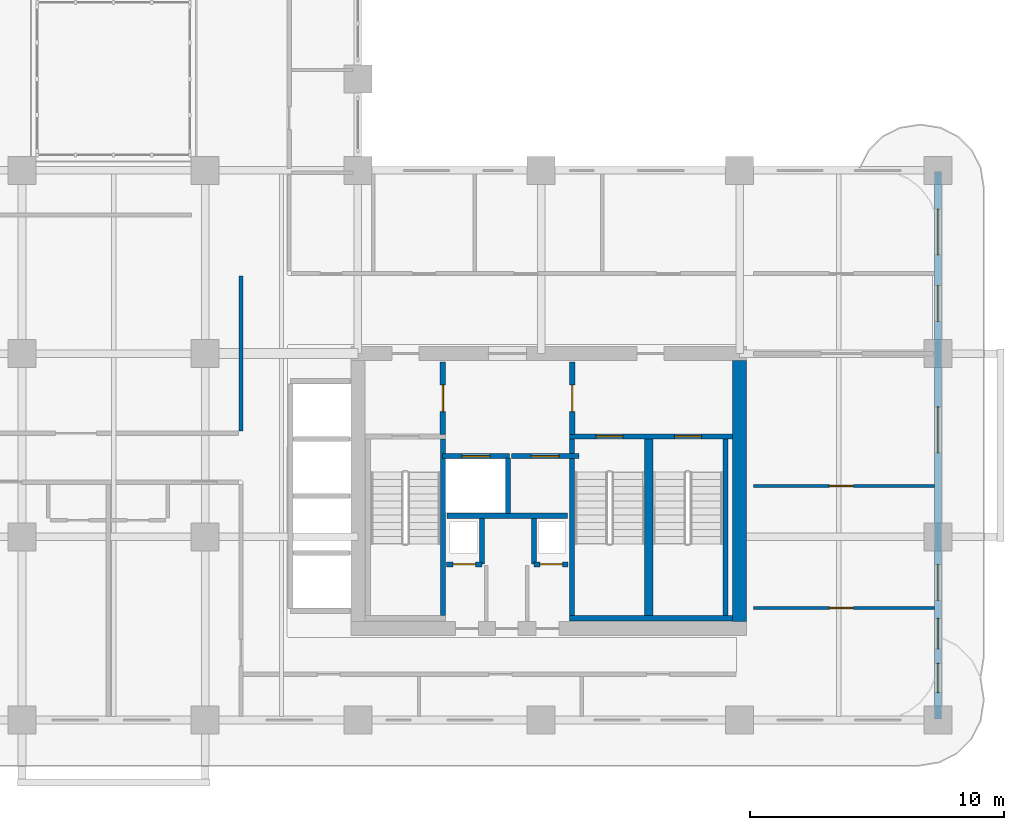
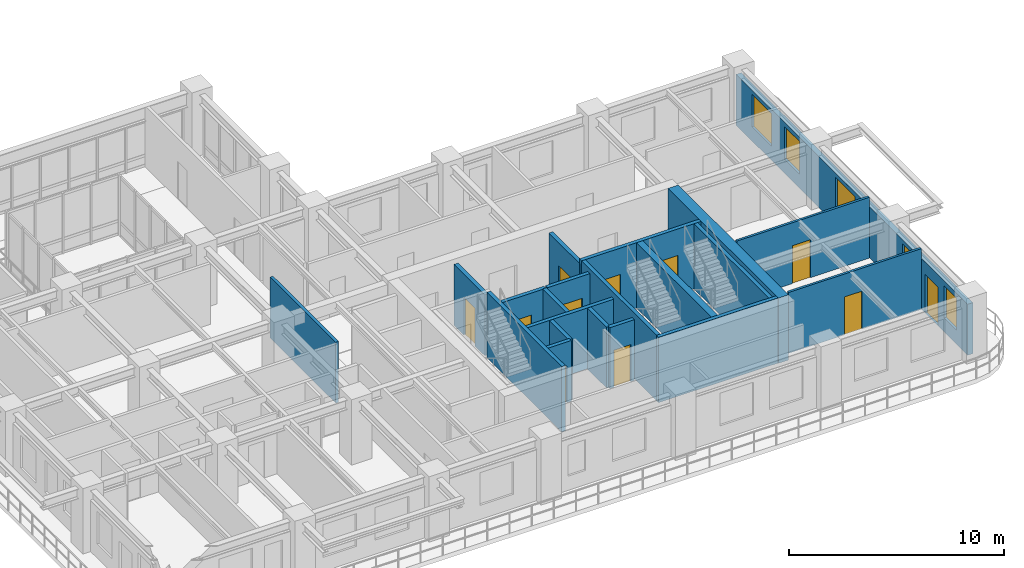
# One storey, part 14 of 22: 21 walls, 11 doors, 5 windows, 16 openings.
"""IFC4 building model written with IfcOpenShell, lengths in metres."""

from ifc_helpers import new_model, si_unit, derived_unit, direction, frame, frame_2d, origin, place, context, subcontext, project, spatial, rectangle, extrude, source, transform, mapped, material, layer, layer_set, type_object, type_shapes, element, fill, save


model = new_model("IFC4")

# Units and contexts
model_context = context("Model", 3, precision=1e-05, world=origin(), true_north=direction((0.0, 1.0)))
body_context = subcontext(model_context, "Body", "Model", "MODEL_VIEW")
ifc_project = project(units=[si_unit("LENGTHUNIT", "METRE"), si_unit("AREAUNIT", "SQUARE_METRE"), si_unit("VOLUMEUNIT", "CUBIC_METRE"), si_unit("PLANEANGLEUNIT", "RADIAN"), si_unit("MASSUNIT", "GRAM", prefix="KILO"), si_unit("THERMODYNAMICTEMPERATUREUNIT", "KELVIN"), si_unit("POWERUNIT", "WATT"), derived_unit("THERMALTRANSMITTANCEUNIT", [(si_unit("POWERUNIT", "WATT"), 1), (si_unit("AREAUNIT", "SQUARE_METRE"), -1), (si_unit("THERMODYNAMICTEMPERATUREUNIT", "KELVIN"), -1)])], contexts=[model_context])

# Site, building, storey
site_placement = place(None, origin())
site = spatial("IfcSite", under=ifc_project, at=site_placement, CompositionType="ELEMENT")
building_placement = place(site_placement, origin())
building = spatial("IfcBuilding", under=site, at=building_placement, Name="Zahravan Archway Hotel and Residences", CompositionType="ELEMENT")
storey_placement = place(building_placement, frame((0.0, 0.0, 80.5)))
storey = spatial("IfcBuildingStorey", under=building, at=storey_placement, Name="L19", CompositionType="ELEMENT", Elevation=80.5)

# Wall
ifc_material_1 = material(Name="Concrete C70/85", Category="concrete")
ifc_layer_1 = layer(ifc_material_1, 0.550048828125, Name="Concrete C70/85", Category="concrete")
ifc_layer_set_1 = layer_set([ifc_layer_1], Name="Concrete C70/85")
wall_type_1 = type_object("IfcWallType", Name="CW-CORE-550", PredefinedType="SHEAR", material=ifc_layer_set_1)
wall_1_placement = place(storey_placement, frame((49.800048828125, 3.875, 0.0), z_axis=(0.0, 0.0, 1.0), x_axis=(0.0, 1.0, 0.0)))
element("IfcWall", 1, at=wall_1_placement, inside=storey, type_object=wall_type_1, Name="L19 Core A Shear E Wall 550 mm", PredefinedType="SHEAR", context=body_context, shape_type="SweptSolid", body=[
    extrude(rectangle(XDim=10.25, YDim=0.550048828125, at=frame_2d((5.125, 0.0))), origin(), (0.0, 0.0, 1.0), 3.699951171875),
])

# Wall, openings, door, windows
ifc_material_2 = material(Name="Honed Red-Ochre Sandstone & Insulated Block", Category="masonry")
ifc_layer_2 = layer(ifc_material_2, 0.280029296875, Name="Honed Red-Ochre Sandstone & Insulated Block", Category="masonry")
ifc_layer_set_2 = layer_set([ifc_layer_2], Name="Honed Red-Ochre Sandstone & Insulated Block")
wall_type_2 = type_object("IfcWallType", Name="EW-LOG-280", PredefinedType="SOLIDWALL", material=ifc_layer_set_2)
wall_2_placement = place(storey_placement, frame((57.60009765625, 0.050048828125, 0.0), z_axis=(0.0, 0.0, 1.0), x_axis=(0.0, 1.0, 0.0)))
wall_2 = element("IfcWall", 2, at=wall_2_placement, inside=storey, type_object=wall_type_2, Name="L19 Exterior Sandstone Wall WA-E", PredefinedType="SOLIDWALL", context=body_context, shape_type="SweptSolid", body=[
    extrude(rectangle(XDim=21.5, YDim=0.280029296875, at=frame_2d((10.75, 0.0))), origin(), (0.0, 0.0, 1.0), 2.885009765625),
])
opening_1_placement = place(wall_2_placement, frame((2.75, 0.0, 0.0)))
opening_1 = element("IfcOpeningElement", 3, at=opening_1_placement, cuts=wall_2, Name="Opening ED-BL1", PredefinedType="OPENING", context=body_context, shape_type="SweptSolid", body=[
    extrude(rectangle(XDim=1.199951171875, YDim=2.199951171875, at=frame_2d((0.60009765625, 1.10009765625))), frame((0.0, 0.14990234375, 0.0), z_axis=(0.0, -1.0, 0.0), x_axis=(1.0, 0.0, 0.0)), (0.0, 0.0, 1.0), 0.300048828125),
])
opening_2_placement = place(wall_2_placement, frame((1.02490234375, 0.0, 0.800048828125)))
opening_2 = element("IfcOpeningElement", 4, at=opening_2_placement, cuts=wall_2, Name="Opening W-05", PredefinedType="OPENING", context=body_context, shape_type="SweptSolid", body=[
    extrude(rectangle(XDim=1.14990234375, YDim=1.800048828125, at=frame_2d((0.574951171875, 0.89990234375))), frame((0.0, 0.14990234375, 0.0), z_axis=(0.0, -1.0, 0.0), x_axis=(1.0, 0.0, 0.0)), (0.0, 0.0, 1.0), 0.300048828125),
])
opening_3_placement = place(wall_2_placement, frame((4.654052734375, 0.0, 0.800048828125)))
opening_3 = element("IfcOpeningElement", 5, at=opening_3_placement, cuts=wall_2, Name="Opening W-03", PredefinedType="OPENING", context=body_context, shape_type="SweptSolid", body=[
    extrude(rectangle(XDim=1.39990234375, YDim=1.85009765625, at=frame_2d((0.699951171875, 0.925048828125))), frame((0.0, 0.14990234375, 0.0), z_axis=(0.0, -1.0, 0.0), x_axis=(1.0, 0.0, 0.0)), (0.0, 0.0, 1.0), 0.300048828125),
])
opening_4_placement = place(wall_2_placement, frame((10.4541015625, 0.0, 0.800048828125)))
opening_4 = element("IfcOpeningElement", 6, at=opening_4_placement, cuts=wall_2, Name="Opening W-02", PredefinedType="OPENING", context=body_context, shape_type="SweptSolid", body=[
    extrude(rectangle(XDim=1.800048828125, YDim=1.85009765625, at=frame_2d((0.89990234375, 0.925048828125))), frame((0.0, 0.14990234375, 0.0), z_axis=(0.0, -1.0, 0.0), x_axis=(1.0, 0.0, 0.0)), (0.0, 0.0, 1.0), 0.300048828125),
])
opening_5_placement = place(wall_2_placement, frame((15.62109375, 0.0, 0.800048828125)))
opening_5 = element("IfcOpeningElement", 7, at=opening_5_placement, cuts=wall_2, Name="Opening W-03", PredefinedType="OPENING", context=body_context, shape_type="SweptSolid", body=[
    extrude(rectangle(XDim=1.39990234375, YDim=1.85009765625, at=frame_2d((0.699951171875, 0.925048828125))), frame((0.0, 0.14990234375, 0.0), z_axis=(0.0, -1.0, 0.0), x_axis=(1.0, 0.0, 0.0)), (0.0, 0.0, 1.0), 0.300048828125),
])
opening_6_placement = place(wall_2_placement, frame((18.22900390625, 0.0, 0.800048828125)))
opening_6 = element("IfcOpeningElement", 8, at=opening_6_placement, cuts=wall_2, Name="Opening W-02", PredefinedType="OPENING", context=body_context, shape_type="SweptSolid", body=[
    extrude(rectangle(XDim=1.800048828125, YDim=1.85009765625, at=frame_2d((0.89990234375, 0.925048828125))), frame((0.0, 0.14990234375, 0.0), z_axis=(0.0, -1.0, 0.0), x_axis=(1.0, 0.0, 0.0)), (0.0, 0.0, 1.0), 0.300048828125),
])
ifc_material_3 = material(Name="Bronze-Anodized Glazed Aluminium", Category="aluminium")
door_type_1 = type_object("IfcDoorType", Name="ED-BALC-1200", OperationType="SLIDING_TO_LEFT", PredefinedType="DOOR", material=ifc_material_3)
shared_shape_1 = source(origin(), body_context, "Body", "SweptSolid", [
    extrude(rectangle(XDim=1.199951171875, YDim=2.199951171875, at=frame_2d((0.60009765625, 1.10009765625))), frame((0.0, 0.02490234375, 0.0), z_axis=(0.0, -1.0, 0.0), x_axis=(1.0, 0.0, 0.0)), (0.0, 0.0, 1.0), 0.050048828125),
])
type_shapes(door_type_1, [shared_shape_1])
door_1_placement = place(opening_1_placement, origin())
door_1 = element("IfcDoor", 9, at=door_1_placement, inside=storey, type_object=door_type_1, Name="L19 Outdoor Access Sliding Door (SLB-BAL-L19-EA)", OperationType="SLIDING_TO_LEFT", OverallHeight=2.199951171875, OverallWidth=1.199951171875, PredefinedType="DOOR", context=body_context, shape_type="MappedRepresentation", body=[
    mapped(shared_shape_1, transform((0.0, 0.0, 0.0), scale=1.0)),
])
fill(opening_1, door_1)
ifc_material_4 = material(Name="Bronze-Anodized Thermal-Break Aluminium & Low-E Glass", Category="aluminium")
window_type_1 = type_object("IfcWindowType", Name="WIN-TWR-1400", PartitioningType="SINGLE_PANEL", PredefinedType="WINDOW", material=ifc_material_4)
shared_shape_2 = source(origin(), body_context, "Body", "SweptSolid", [
    extrude(rectangle(XDim=1.39990234375, YDim=1.85009765625, at=frame_2d((0.699951171875, 0.925048828125))), frame((0.0, 0.030029296875, 0.0), z_axis=(0.0, -1.0, 0.0), x_axis=(1.0, 0.0, 0.0)), (0.0, 0.0, 1.0), 0.06005859375),
])
type_shapes(window_type_1, [shared_shape_2])
window_1_placement = place(opening_3_placement, origin())
window_1 = element("IfcWindow", 10, at=window_1_placement, inside=storey, type_object=window_type_1, Name="L19 Loggia Window 13", OverallHeight=1.85009765625, OverallWidth=1.39990234375, PartitioningType="SINGLE_PANEL", PredefinedType="WINDOW", context=body_context, shape_type="MappedRepresentation", body=[
    mapped(shared_shape_2, transform((0.0, 0.0, 0.0), scale=1.0)),
])
fill(opening_3, window_1)
window_2_placement = place(opening_5_placement, origin())
window_2 = element("IfcWindow", 11, at=window_2_placement, inside=storey, type_object=window_type_1, Name="L19 Loggia Window 15", OverallHeight=1.85009765625, OverallWidth=1.39990234375, PartitioningType="SINGLE_PANEL", PredefinedType="WINDOW", context=body_context, shape_type="MappedRepresentation", body=[
    mapped(shared_shape_2, transform((0.0, 0.0, 0.0), scale=1.0)),
])
fill(opening_5, window_2)
window_type_2 = type_object("IfcWindowType", Name="WIN-TWR-1800", PartitioningType="DOUBLE_PANEL_VERTICAL", PredefinedType="WINDOW", material=ifc_material_4)
shared_shape_3 = source(origin(), body_context, "Body", "SweptSolid", [
    extrude(rectangle(XDim=1.800048828125, YDim=1.85009765625, at=frame_2d((0.89990234375, 0.925048828125))), frame((0.0, 0.030029296875, 0.0), z_axis=(0.0, -1.0, 0.0), x_axis=(1.0, 0.0, 0.0)), (0.0, 0.0, 1.0), 0.06005859375),
])
type_shapes(window_type_2, [shared_shape_3])
window_3_placement = place(opening_4_placement, origin())
window_3 = element("IfcWindow", 12, at=window_3_placement, inside=storey, type_object=window_type_2, Name="L19 Loggia Window 14", OverallHeight=1.85009765625, OverallWidth=1.800048828125, PartitioningType="DOUBLE_PANEL_VERTICAL", PredefinedType="WINDOW", context=body_context, shape_type="MappedRepresentation", body=[
    mapped(shared_shape_3, transform((0.0, 0.0, 0.0), scale=1.0)),
])
fill(opening_4, window_3)
window_4_placement = place(opening_6_placement, origin())
window_4 = element("IfcWindow", 13, at=window_4_placement, inside=storey, type_object=window_type_2, Name="L19 Loggia Window 16", OverallHeight=1.85009765625, OverallWidth=1.800048828125, PartitioningType="DOUBLE_PANEL_VERTICAL", PredefinedType="WINDOW", context=body_context, shape_type="MappedRepresentation", body=[
    mapped(shared_shape_3, transform((0.0, 0.0, 0.0), scale=1.0)),
])
fill(opening_6, window_4)
window_type_3 = type_object("IfcWindowType", Name="WIN-TWR-1150", PartitioningType="SINGLE_PANEL", PredefinedType="WINDOW", material=ifc_material_4)
shared_shape_4 = source(origin(), body_context, "Body", "SweptSolid", [
    extrude(rectangle(XDim=1.14990234375, YDim=1.800048828125, at=frame_2d((0.574951171875, 0.89990234375))), frame((0.0, 0.030029296875, 0.0), z_axis=(0.0, -1.0, 0.0), x_axis=(1.0, 0.0, 0.0)), (0.0, 0.0, 1.0), 0.06005859375),
])
type_shapes(window_type_3, [shared_shape_4])
window_5_placement = place(opening_2_placement, origin())
window_5 = element("IfcWindow", 14, at=window_5_placement, inside=storey, type_object=window_type_3, Name="L19 Loggia Window 12", OverallHeight=1.800048828125, OverallWidth=1.14990234375, PartitioningType="SINGLE_PANEL", PredefinedType="WINDOW", context=body_context, shape_type="MappedRepresentation", body=[
    mapped(shared_shape_4, transform((0.0, 0.0, 0.0), scale=1.0)),
])
fill(opening_2, window_5)

# Wall, opening, door
ifc_material_5 = material(Name="Fire-Rated Gypsum & Concrete Block", Category="concrete")
ifc_layer_3 = layer(ifc_material_5, 0.219970703125, Name="Fire-Rated Gypsum & Concrete Block", Category="concrete")
ifc_layer_set_3 = layer_set([ifc_layer_3], Name="Fire-Rated Gypsum & Concrete Block")
wall_type_3 = type_object("IfcWallType", Name="PW-COMP-220", PredefinedType="PARTITIONING", material=ifc_layer_set_3)
wall_3_placement = place(storey_placement, frame((38.139892578125, 11.219970703125, 0.0), z_axis=(0.0, 0.0, 1.0), x_axis=(0.0, 1.0, 0.0)))
wall_3 = element("IfcWall", 15, at=wall_3_placement, inside=storey, type_object=wall_type_3, Name="L19 Partition CA-LOBW", PredefinedType="PARTITIONING", context=body_context, shape_type="SweptSolid", body=[
    extrude(rectangle(XDim=2.860107421875, YDim=0.219970703125, at=frame_2d((1.43017578125, 0.0))), origin(), (0.0, 0.0, 1.0), 3.449951171875),
])
opening_7_placement = place(wall_3_placement, frame((0.905029296875, 0.0, 0.0)))
opening_7 = element("IfcOpeningElement", 16, at=opening_7_placement, cuts=wall_3, Name="Opening FD-L2", PredefinedType="OPENING", context=body_context, shape_type="SweptSolid", body=[
    extrude(rectangle(XDim=1.050048828125, YDim=2.14990234375, at=frame_2d((0.52490234375, 1.074951171875))), frame((0.0, 0.1201171875, 0.0), z_axis=(0.0, -1.0, 0.0), x_axis=(1.0, 0.0, 0.0)), (0.0, 0.0, 1.0), 0.239990234375),
])
ifc_material_6 = material(Name="Fire-Rated Painted Steel", Category="steel")
door_type_2 = type_object("IfcDoorType", Name="FD-LOBBY-1100", OperationType="NOTDEFINED", PredefinedType="DOOR", material=ifc_material_6)
shared_shape_5 = source(origin(), body_context, "Body", "SweptSolid", [
    extrude(rectangle(XDim=1.050048828125, YDim=2.14990234375, at=frame_2d((0.52490234375, 1.074951171875))), frame((0.0, 0.02490234375, 0.0), z_axis=(0.0, -1.0, 0.0), x_axis=(1.0, 0.0, 0.0)), (0.0, 0.0, 1.0), 0.050048828125),
])
type_shapes(door_type_2, [shared_shape_5])
door_2_placement = place(opening_7_placement, origin())
door_2 = element("IfcDoor", 17, at=door_2_placement, inside=storey, type_object=door_type_2, Name="L19 Core A West Stair to FSAE Lobby Door", OperationType="SINGLE_SWING_RIGHT", OverallHeight=2.14990234375, OverallWidth=1.050048828125, PredefinedType="DOOR", context=body_context, shape_type="MappedRepresentation", body=[
    mapped(shared_shape_5, transform((0.0, 0.0, 0.0), scale=1.0)),
])
fill(opening_7, door_2)

wall_4_placement = place(storey_placement, frame((43.219970703125, 11.219970703125, 0.0), z_axis=(0.0, 0.0, 1.0), x_axis=(0.0, 1.0, 0.0)))
wall_4 = element("IfcWall", 18, at=wall_4_placement, inside=storey, type_object=wall_type_3, Name="L19 Partition CA-LOBE", PredefinedType="PARTITIONING", context=body_context, shape_type="SweptSolid", body=[
    extrude(rectangle(XDim=2.860107421875, YDim=0.219970703125, at=frame_2d((1.43017578125, 0.0))), origin(), (0.0, 0.0, 1.0), 3.449951171875),
])
opening_8_placement = place(wall_4_placement, frame((0.905029296875, 0.0, 0.0)))
opening_8 = element("IfcOpeningElement", 19, at=opening_8_placement, cuts=wall_4, Name="Opening FD-L2", PredefinedType="OPENING", context=body_context, shape_type="SweptSolid", body=[
    extrude(rectangle(XDim=1.050048828125, YDim=2.14990234375, at=frame_2d((0.52490234375, 1.074951171875))), frame((0.0, 0.1201171875, 0.0), z_axis=(0.0, -1.0, 0.0), x_axis=(1.0, 0.0, 0.0)), (0.0, 0.0, 1.0), 0.239990234375),
])
door_3_placement = place(opening_8_placement, origin())
door_3 = element("IfcDoor", 20, at=door_3_placement, inside=storey, type_object=door_type_2, Name="L19 Core A East Stair to FSAE Lobby Door", OperationType="SINGLE_SWING_LEFT", OverallHeight=2.14990234375, OverallWidth=1.050048828125, PredefinedType="DOOR", context=body_context, shape_type="MappedRepresentation", body=[
    mapped(shared_shape_5, transform((0.0, 0.0, 0.0), scale=1.0)),
])
fill(opening_8, door_3)

# Wall
ifc_layer_4 = layer(ifc_material_5, 0.159912109375, Name="Fire-Rated Gypsum & Concrete Block", Category="concrete")
ifc_layer_set_4 = layer_set([ifc_layer_4], Name="Fire-Rated Gypsum & Concrete Block")
wall_type_4 = type_object("IfcWallType", Name="PW-CORR-160", PredefinedType="PARTITIONING", material=ifc_layer_set_4)
wall_5_placement = place(storey_placement, frame((30.199951171875, 11.360107421875, 0.0), z_axis=(0.0, 0.0, 1.0), x_axis=(0.0, 1.0, 0.0)))
element("IfcWall", 21, at=wall_5_placement, inside=storey, type_object=wall_type_4, Name="L19 Partition WA-FW", PredefinedType="PARTITIONING", context=body_context, shape_type="SweptSolid", body=[
    extrude(rectangle(XDim=6.099853515625, YDim=0.159912109375, at=frame_2d((3.0498046875, 0.0))), origin(), (0.0, 0.0, 1.0), 3.449951171875),
])

# Wall, opening, door
ifc_material_7 = material(Name="Acoustic Stud Partition")
ifc_layer_5 = layer(ifc_material_7, 0.125, Name="Acoustic Stud Partition")
ifc_layer_set_5 = layer_set([ifc_layer_5], Name="Acoustic Stud Partition")
wall_type_5 = type_object("IfcWallType", Name="PW-INT-125", PredefinedType="PARTITIONING", material=ifc_layer_set_5)
wall_6_placement = place(storey_placement, frame((50.340087890625, 9.199951171875, 0.0), z_axis=(0.0, 0.0, 1.0), x_axis=(1.0, 0.0, 0.0)))
wall_6 = element("IfcWall", 22, at=wall_6_placement, inside=storey, type_object=wall_type_5, Name="L19 Partition EA-EH1", PredefinedType="PARTITIONING", context=body_context, shape_type="SweptSolid", body=[
    extrude(rectangle(XDim=7.11181640625, YDim=0.125, at=frame_2d((3.555908203125, 0.0))), origin(), (0.0, 0.0, 1.0), 3.449951171875),
])
opening_9_placement = place(wall_6_placement, frame((2.985107421875, 0.0, 0.0)))
opening_9 = element("IfcOpeningElement", 23, at=opening_9_placement, cuts=wall_6, Name="Opening D-I1", PredefinedType="OPENING", context=body_context, shape_type="SweptSolid", body=[
    extrude(rectangle(XDim=0.949951171875, YDim=2.14990234375, at=frame_2d((0.47509765625, 1.074951171875))), frame((0.0, 0.072509765625, 0.0), z_axis=(0.0, -1.0, 0.0), x_axis=(1.0, 0.0, 0.0)), (0.0, 0.0, 1.0), 0.14501953125),
])
ifc_material_8 = material(Name="Hardwood Veneer Timber", Category="wood")
door_type_3 = type_object("IfcDoorType", Name="ID-INT-950", OperationType="NOTDEFINED", PredefinedType="DOOR", material=ifc_material_8)
shared_shape_6 = source(origin(), body_context, "Body", "SweptSolid", [
    extrude(rectangle(XDim=0.949951171875, YDim=2.14990234375, at=frame_2d((0.47509765625, 1.074951171875))), frame((0.0, 0.02490234375, 0.0), z_axis=(0.0, -1.0, 0.0), x_axis=(1.0, 0.0, 0.0)), (0.0, 0.0, 1.0), 0.050048828125),
])
type_shapes(door_type_3, [shared_shape_6])
door_4_placement = place(opening_9_placement, origin())
door_4 = element("IfcDoor", 24, at=door_4_placement, inside=storey, type_object=door_type_3, Name="L19 East Study Lounge Door", OperationType="SINGLE_SWING_RIGHT", OverallHeight=2.14990234375, OverallWidth=0.949951171875, PredefinedType="DOOR", context=body_context, shape_type="MappedRepresentation", body=[
    mapped(shared_shape_6, transform((0.0, 0.0, 0.0), scale=1.0)),
])
fill(opening_9, door_4)

wall_7_placement = place(storey_placement, frame((50.340087890625, 4.39990234375, 0.0), z_axis=(0.0, 0.0, 1.0), x_axis=(1.0, 0.0, 0.0)))
wall_7 = element("IfcWall", 25, at=wall_7_placement, inside=storey, type_object=wall_type_5, Name="L19 Partition EA-EH2", PredefinedType="PARTITIONING", context=body_context, shape_type="SweptSolid", body=[
    extrude(rectangle(XDim=7.11181640625, YDim=0.125, at=frame_2d((3.555908203125, 0.0))), origin(), (0.0, 0.0, 1.0), 3.449951171875),
])
opening_10_placement = place(wall_7_placement, frame((2.985107421875, 0.0, 0.0)))
opening_10 = element("IfcOpeningElement", 26, at=opening_10_placement, cuts=wall_7, Name="Opening D-I1", PredefinedType="OPENING", context=body_context, shape_type="SweptSolid", body=[
    extrude(rectangle(XDim=0.949951171875, YDim=2.14990234375, at=frame_2d((0.47509765625, 1.074951171875))), frame((0.0, 0.072509765625, 0.0), z_axis=(0.0, -1.0, 0.0), x_axis=(1.0, 0.0, 0.0)), (0.0, 0.0, 1.0), 0.14501953125),
])
door_5_placement = place(opening_10_placement, origin())
door_5 = element("IfcDoor", 27, at=door_5_placement, inside=storey, type_object=door_type_3, Name="L19 East Clinic Consult Door", OperationType="SINGLE_SWING_LEFT", OverallHeight=2.14990234375, OverallWidth=0.949951171875, PredefinedType="DOOR", context=body_context, shape_type="MappedRepresentation", body=[
    mapped(shared_shape_6, transform((0.0, 0.0, 0.0), scale=1.0)),
])
fill(opening_10, door_5)

# Walls
ifc_layer_6 = layer(ifc_material_5, 0.199951171875, Name="Fire-Rated Gypsum & Concrete Block", Category="concrete")
ifc_layer_set_6 = layer_set([ifc_layer_6], Name="Fire-Rated Gypsum & Concrete Block")
wall_type_6 = type_object("IfcWallType", Name="PW-SHAFT-200", PredefinedType="PARTITIONING", material=ifc_layer_set_6)
wall_8_placement = place(storey_placement, frame((38.300048828125, 8.030029296875, 0.0), z_axis=(0.0, 0.0, 1.0), x_axis=(1.0, 0.0, 0.0)))
element("IfcWall", 28, at=wall_8_placement, inside=storey, type_object=wall_type_6, Name="L19 Partition CA-FLS", PredefinedType="PARTITIONING", context=body_context, shape_type="SweptSolid", body=[
    extrude(rectangle(XDim=4.739990234375, YDim=0.199951171875, at=frame_2d((2.3701171875, 0.0))), origin(), (0.0, 0.0, 1.0), 3.449951171875),
])
wall_9_placement = place(storey_placement, frame((40.699951171875, 8.1201171875, 0.0), z_axis=(0.0, 0.0, 1.0), x_axis=(0.0, 1.0, 0.0)))
element("IfcWall", 29, at=wall_9_placement, inside=storey, type_object=wall_type_6, Name="L19 Partition CA-FLM", PredefinedType="PARTITIONING", context=body_context, shape_type="SweptSolid", body=[
    extrude(rectangle(XDim=2.179931640625, YDim=0.199951171875, at=frame_2d((1.08984375, 0.0))), origin(), (0.0, 0.0, 1.0), 3.449951171875),
])

# Wall, opening, door
wall_10_placement = place(storey_placement, frame((38.2900390625, 6.1201171875, 0.0), z_axis=(0.0, 0.0, 1.0), x_axis=(1.0, 0.0, 0.0)))
wall_10 = element("IfcWall", 30, at=wall_10_placement, inside=storey, type_object=wall_type_6, Name="L19 Partition CA-SMKS", PredefinedType="PARTITIONING", context=body_context, shape_type="SweptSolid", body=[
    extrude(rectangle(XDim=1.3798828125, YDim=0.199951171875, at=frame_2d((0.68994140625, 0.0))), origin(), (0.0, 0.0, 1.0), 3.449951171875),
])
opening_11_placement = place(wall_10_placement, frame((0.239990234375, 0.0, 0.0)))
opening_11 = element("IfcOpeningElement", 31, at=opening_11_placement, cuts=wall_10, Name="Opening FD-R1", PredefinedType="OPENING", context=body_context, shape_type="SweptSolid", body=[
    extrude(rectangle(XDim=0.89990234375, YDim=2.10009765625, at=frame_2d((0.449951171875, 1.050048828125))), frame((0.0, 0.10986328125, 0.0), z_axis=(0.0, -1.0, 0.0), x_axis=(1.0, 0.0, 0.0)), (0.0, 0.0, 1.0), 0.219970703125),
])
door_type_4 = type_object("IfcDoorType", Name="FD-RISER-900", OperationType="NOTDEFINED", PredefinedType="DOOR", material=ifc_material_6)
shared_shape_7 = source(origin(), body_context, "Body", "SweptSolid", [
    extrude(rectangle(XDim=0.89990234375, YDim=2.10009765625, at=frame_2d((0.449951171875, 1.050048828125))), frame((0.0, 0.02490234375, 0.0), z_axis=(0.0, -1.0, 0.0), x_axis=(1.0, 0.0, 0.0)), (0.0, 0.0, 1.0), 0.050048828125),
])
type_shapes(door_type_4, [shared_shape_7])
door_6_placement = place(opening_11_placement, origin())
door_6 = element("IfcDoor", 32, at=door_6_placement, inside=storey, type_object=door_type_4, Name="L19 Smoke Riser Access Door", OperationType="SINGLE_SWING_RIGHT", OverallHeight=2.10009765625, OverallWidth=0.89990234375, PredefinedType="DOOR", context=body_context, shape_type="MappedRepresentation", body=[
    mapped(shared_shape_7, transform((0.0, 0.0, 0.0), scale=1.0)),
])
fill(opening_11, door_6)

# Wall
wall_11_placement = place(storey_placement, frame((39.679931640625, 6.1298828125, 0.0), z_axis=(0.0, 0.0, 1.0), x_axis=(0.0, 1.0, 0.0)))
element("IfcWall", 33, at=wall_11_placement, inside=storey, type_object=wall_type_6, Name="L19 Partition CA-SMKE", PredefinedType="PARTITIONING", context=body_context, shape_type="SweptSolid", body=[
    extrude(rectangle(XDim=1.7900390625, YDim=0.199951171875, at=frame_2d((0.89501953125, 0.0))), origin(), (0.0, 0.0, 1.0), 3.449951171875),
])

# Wall, opening, door
wall_12_placement = place(storey_placement, frame((41.72998046875, 6.1201171875, 0.0), z_axis=(0.0, 0.0, 1.0), x_axis=(1.0, 0.0, 0.0)))
wall_12 = element("IfcWall", 34, at=wall_12_placement, inside=storey, type_object=wall_type_6, Name="L19 Partition CA-MEPS", PredefinedType="PARTITIONING", context=body_context, shape_type="SweptSolid", body=[
    extrude(rectangle(XDim=1.320068359375, YDim=0.199951171875, at=frame_2d((0.66015625, 0.0))), origin(), (0.0, 0.0, 1.0), 3.449951171875),
])
opening_12_placement = place(wall_12_placement, frame((0.219970703125, 0.0, 0.0)))
opening_12 = element("IfcOpeningElement", 35, at=opening_12_placement, cuts=wall_12, Name="Opening FD-R1", PredefinedType="OPENING", context=body_context, shape_type="SweptSolid", body=[
    extrude(rectangle(XDim=0.89990234375, YDim=2.10009765625, at=frame_2d((0.449951171875, 1.050048828125))), frame((0.0, 0.10986328125, 0.0), z_axis=(0.0, -1.0, 0.0), x_axis=(1.0, 0.0, 0.0)), (0.0, 0.0, 1.0), 0.219970703125),
])
door_7_placement = place(opening_12_placement, origin())
door_7 = element("IfcDoor", 36, at=door_7_placement, inside=storey, type_object=door_type_4, Name="L19 MEP Riser Access Door", OperationType="SINGLE_SWING_LEFT", OverallHeight=2.10009765625, OverallWidth=0.89990234375, PredefinedType="DOOR", context=body_context, shape_type="MappedRepresentation", body=[
    mapped(shared_shape_7, transform((0.0, 0.0, 0.0), scale=1.0)),
])
fill(opening_12, door_7)

# Wall
wall_13_placement = place(storey_placement, frame((41.719970703125, 6.1298828125, 0.0), z_axis=(0.0, 0.0, 1.0), x_axis=(0.0, 1.0, 0.0)))
element("IfcWall", 37, at=wall_13_placement, inside=storey, type_object=wall_type_6, Name="L19 Partition CA-MEPW", PredefinedType="PARTITIONING", context=body_context, shape_type="SweptSolid", body=[
    extrude(rectangle(XDim=1.7900390625, YDim=0.199951171875, at=frame_2d((0.89501953125, 0.0))), origin(), (0.0, 0.0, 1.0), 3.449951171875),
])

# Wall, opening, door
wall_14_placement = place(storey_placement, frame((38.1201171875, 10.3701171875, 0.0), z_axis=(0.0, 0.0, 1.0), x_axis=(1.0, 0.0, 0.0)))
wall_14 = element("IfcWall", 38, at=wall_14_placement, inside=storey, type_object=wall_type_6, Name="L19 Lift FL-1 Front Wall", PredefinedType="PARTITIONING", context=body_context, shape_type="SweptSolid", body=[
    extrude(rectangle(XDim=2.639892578125, YDim=0.199951171875, at=frame_2d((1.31982421875, 0.0))), origin(), (0.0, 0.0, 1.0), 3.449951171875),
])
opening_13_placement = place(wall_14_placement, frame((0.77001953125, 0.0, 0.0)))
opening_13 = element("IfcOpeningElement", 39, at=opening_13_placement, cuts=wall_14, Name="Opening LD", PredefinedType="OPENING", context=body_context, shape_type="SweptSolid", body=[
    extrude(rectangle(XDim=1.10009765625, YDim=2.199951171875, at=frame_2d((0.550048828125, 1.10009765625))), frame((0.0, 0.10986328125, 0.0), z_axis=(0.0, -1.0, 0.0), x_axis=(1.0, 0.0, 0.0)), (0.0, 0.0, 1.0), 0.219970703125),
])
ifc_material_9 = material(Name="Brushed Stainless Steel", Category="steel")
door_type_5 = type_object("IfcDoorType", Name="DR-LIFT-LD", OperationType="SLIDING_TO_LEFT", PredefinedType="DOOR", material=ifc_material_9)
shared_shape_8 = source(origin(), body_context, "Body", "SweptSolid", [
    extrude(rectangle(XDim=1.10009765625, YDim=2.199951171875, at=frame_2d((0.550048828125, 1.10009765625))), frame((0.0, 0.02490234375, 0.0), z_axis=(0.0, -1.0, 0.0), x_axis=(1.0, 0.0, 0.0)), (0.0, 0.0, 1.0), 0.050048828125),
])
type_shapes(door_type_5, [shared_shape_8])
door_8_placement = place(opening_13_placement, origin())
door_8 = element("IfcDoor", 40, at=door_8_placement, inside=storey, type_object=door_type_5, Name="L19 Lift FL-1 Sliding Landing Door", OperationType="SLIDING_TO_LEFT", OverallHeight=2.199951171875, OverallWidth=1.10009765625, PredefinedType="DOOR", context=body_context, shape_type="MappedRepresentation", body=[
    mapped(shared_shape_8, transform((0.0, 0.0, 0.0), scale=1.0)),
])
fill(opening_13, door_8)

wall_15_placement = place(storey_placement, frame((40.840087890625, 10.3701171875, 0.0), z_axis=(0.0, 0.0, 1.0), x_axis=(1.0, 0.0, 0.0)))
wall_15 = element("IfcWall", 41, at=wall_15_placement, inside=storey, type_object=wall_type_6, Name="L19 Lift FL-2 Front Wall", PredefinedType="PARTITIONING", context=body_context, shape_type="SweptSolid", body=[
    extrude(rectangle(XDim=2.639892578125, YDim=0.199951171875, at=frame_2d((1.31982421875, 0.0))), origin(), (0.0, 0.0, 1.0), 3.449951171875),
])
opening_14_placement = place(wall_15_placement, frame((0.77001953125, 0.0, 0.0)))
opening_14 = element("IfcOpeningElement", 42, at=opening_14_placement, cuts=wall_15, Name="Opening LD", PredefinedType="OPENING", context=body_context, shape_type="SweptSolid", body=[
    extrude(rectangle(XDim=1.10009765625, YDim=2.199951171875, at=frame_2d((0.550048828125, 1.10009765625))), frame((0.0, 0.10986328125, 0.0), z_axis=(0.0, -1.0, 0.0), x_axis=(1.0, 0.0, 0.0)), (0.0, 0.0, 1.0), 0.219970703125),
])
door_9_placement = place(opening_14_placement, origin())
door_9 = element("IfcDoor", 43, at=door_9_placement, inside=storey, type_object=door_type_5, Name="L19 Lift FL-2 Sliding Landing Door", OperationType="SLIDING_TO_LEFT", OverallHeight=2.199951171875, OverallWidth=1.10009765625, PredefinedType="DOOR", context=body_context, shape_type="MappedRepresentation", body=[
    mapped(shared_shape_8, transform((0.0, 0.0, 0.0), scale=1.0)),
])
fill(opening_14, door_9)

# Walls
ifc_material_10 = material(Name="Concrete C50/60", Category="concrete")
ifc_layer_7 = layer(ifc_material_10, 0.199951171875, Name="Concrete C50/60", Category="concrete")
ifc_layer_set_7 = layer_set([ifc_layer_7], Name="Concrete C50/60")
wall_type_7 = type_object("IfcWallType", Name="SW-STAIR-200", PredefinedType="SHEAR", material=ifc_layer_set_7)
wall_16_placement = place(storey_placement, frame((38.139892578125, 4.10009765625, 0.0), z_axis=(0.0, 0.0, 1.0), x_axis=(0.0, 1.0, 0.0)))
element("IfcWall", 44, at=wall_16_placement, inside=storey, type_object=wall_type_7, Name="L19 Stairwell RC Wall CA-SA1E", PredefinedType="SHEAR", context=body_context, shape_type="SweptSolid", body=[
    extrude(rectangle(XDim=6.949951171875, YDim=0.199951171875, at=frame_2d((3.47509765625, 0.0))), origin(), (0.0, 0.0, 1.0), 3.699951171875),
])
wall_17_placement = place(storey_placement, frame((43.1201171875, 4.0, 0.0), z_axis=(0.0, 0.0, 1.0), x_axis=(1.0, 0.0, 0.0)))
element("IfcWall", 45, at=wall_17_placement, inside=storey, type_object=wall_type_7, Name="L19 Stairwell RC Wall CA-SA23S", PredefinedType="SHEAR", context=body_context, shape_type="SweptSolid", body=[
    extrude(rectangle(XDim=6.40478515625, YDim=0.199951171875, at=frame_2d((3.202392578125, 0.0))), origin(), (0.0, 0.0, 1.0), 3.699951171875),
])
for number, where, z_axis, x_axis, name in (
    (46, (43.219970703125, 4.10009765625, 0.0), (0.0, 0.0, 1.0), (0.0, 1.0, 0.0), "L19 Stairwell RC Wall CA-SA2W"),
    (47, (49.239990234375, 4.10009765625, 0.0), (0.0, 0.0, 1.0), (0.0, 1.0, 0.0), "L19 Stairwell RC Wall CA-SA3E"),
):
    element("IfcWall", number, at=place(storey_placement, frame(where, z_axis=z_axis, x_axis=x_axis)), inside=storey, type_object=wall_type_7, Name=name, PredefinedType="SHEAR", context=body_context, shape_type="SweptSolid", body=[
        extrude(rectangle(XDim=6.949951171875, YDim=0.199951171875, at=frame_2d((3.47509765625, 0.0))), origin(), (0.0, 0.0, 1.0), 3.699951171875),
    ])

# Wall, openings, doors
wall_18_placement = place(storey_placement, frame((43.1201171875, 11.14990234375, 0.0), z_axis=(0.0, 0.0, 1.0), x_axis=(1.0, 0.0, 0.0)))
wall_18 = element("IfcWall", 48, at=wall_18_placement, inside=storey, type_object=wall_type_7, Name="L19 Stairwell RC Wall CA-SA23N", PredefinedType="SHEAR", context=body_context, shape_type="SweptSolid", body=[
    extrude(rectangle(XDim=6.40478515625, YDim=0.199951171875, at=frame_2d((3.202392578125, 0.0))), origin(), (0.0, 0.0, 1.0), 3.699951171875),
])
opening_15_placement = place(wall_18_placement, frame((1.044921875, 0.0, 0.0)))
opening_15 = element("IfcOpeningElement", 49, at=opening_15_placement, cuts=wall_18, Name="Opening FD-S1", PredefinedType="OPENING", context=body_context, shape_type="SweptSolid", body=[
    extrude(rectangle(XDim=1.050048828125, YDim=2.199951171875, at=frame_2d((0.52490234375, 1.10009765625))), frame((0.0, 0.10986328125, 0.0), z_axis=(0.0, -1.0, 0.0), x_axis=(1.0, 0.0, 0.0)), (0.0, 0.0, 1.0), 0.219970703125),
])
opening_16_placement = place(wall_18_placement, frame((4.125, 0.0, 0.0)))
opening_16 = element("IfcOpeningElement", 50, at=opening_16_placement, cuts=wall_18, Name="Opening FD-S1", PredefinedType="OPENING", context=body_context, shape_type="SweptSolid", body=[
    extrude(rectangle(XDim=1.050048828125, YDim=2.199951171875, at=frame_2d((0.52490234375, 1.10009765625))), frame((0.0, 0.10986328125, 0.0), z_axis=(0.0, -1.0, 0.0), x_axis=(1.0, 0.0, 0.0)), (0.0, 0.0, 1.0), 0.219970703125),
])
door_type_6 = type_object("IfcDoorType", Name="FD-STAIR-1100", OperationType="NOTDEFINED", PredefinedType="DOOR", material=ifc_material_6)
shared_shape_9 = source(origin(), body_context, "Body", "SweptSolid", [
    extrude(rectangle(XDim=1.050048828125, YDim=2.199951171875, at=frame_2d((0.52490234375, 1.10009765625))), frame((0.0, 0.02490234375, 0.0), z_axis=(0.0, -1.0, 0.0), x_axis=(1.0, 0.0, 0.0)), (0.0, 0.0, 1.0), 0.050048828125),
])
type_shapes(door_type_6, [shared_shape_9])
door_10_placement = place(opening_15_placement, origin())
door_10 = element("IfcDoor", 51, at=door_10_placement, inside=storey, type_object=door_type_6, Name="L19 Stair ST-A2 Door", OperationType="SINGLE_SWING_RIGHT", OverallHeight=2.199951171875, OverallWidth=1.050048828125, PredefinedType="DOOR", context=body_context, shape_type="MappedRepresentation", body=[
    mapped(shared_shape_9, transform((0.0, 0.0, 0.0), scale=1.0)),
])
fill(opening_15, door_10)
door_11_placement = place(opening_16_placement, origin())
door_11 = element("IfcDoor", 52, at=door_11_placement, inside=storey, type_object=door_type_6, Name="L19 Stair ST-A3 Door", OperationType="SINGLE_SWING_LEFT", OverallHeight=2.199951171875, OverallWidth=1.050048828125, PredefinedType="DOOR", context=body_context, shape_type="MappedRepresentation", body=[
    mapped(shared_shape_9, transform((0.0, 0.0, 0.0), scale=1.0)),
])
fill(opening_16, door_11)

# Wall
ifc_layer_8 = layer(ifc_material_10, 0.340087890625, Name="Concrete C50/60", Category="concrete")
ifc_layer_set_8 = layer_set([ifc_layer_8], Name="Concrete C50/60")
wall_type_8 = type_object("IfcWallType", Name="SW-STAIR-340", PredefinedType="SHEAR", material=ifc_layer_set_8)
wall_19_placement = place(storey_placement, frame((46.22998046875, 4.10009765625, 0.0), z_axis=(0.0, 0.0, 1.0), x_axis=(0.0, 1.0, 0.0)))
element("IfcWall", 53, at=wall_19_placement, inside=storey, type_object=wall_type_8, Name="L19 Stairwell RC Wall CA-SA23M", PredefinedType="SHEAR", context=body_context, shape_type="SweptSolid", body=[
    extrude(rectangle(XDim=6.949951171875, YDim=0.340087890625, at=frame_2d((3.47509765625, 0.0))), origin(), (0.0, 0.0, 1.0), 3.699951171875),
])

save(model, "model.ifc")
